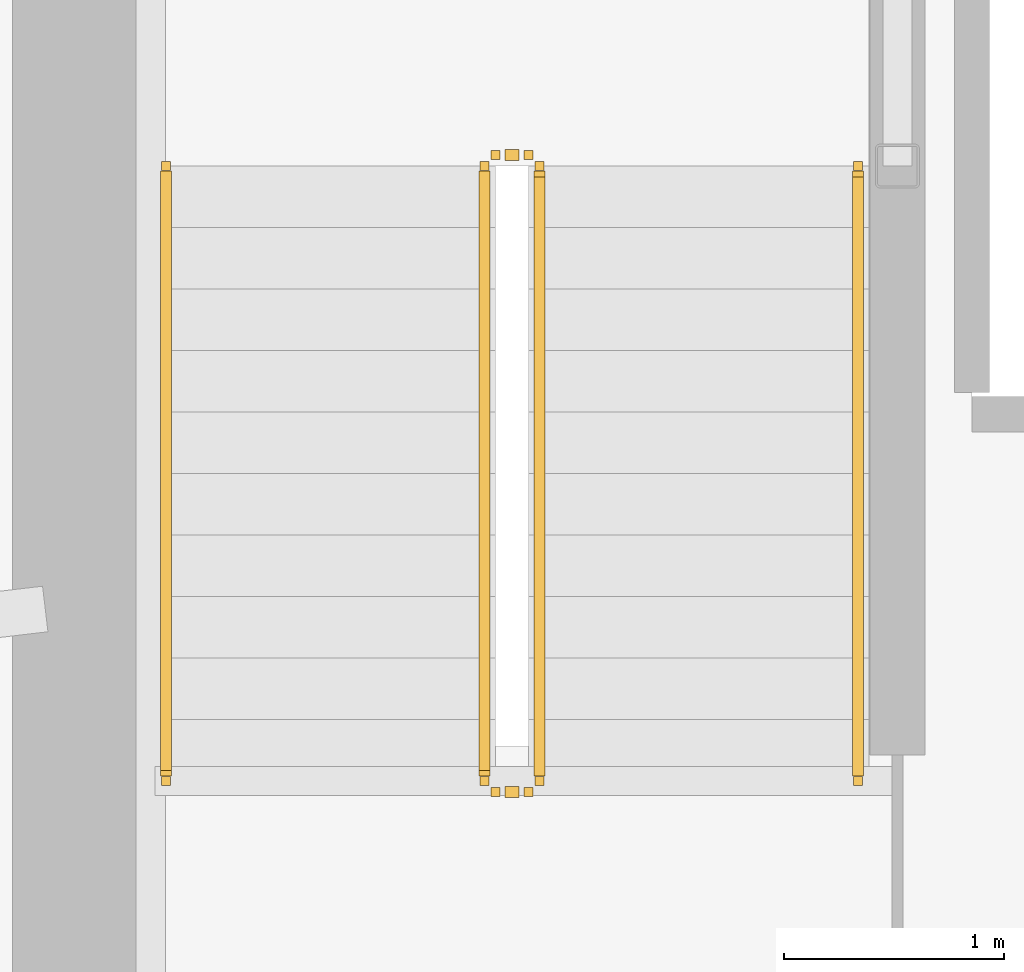
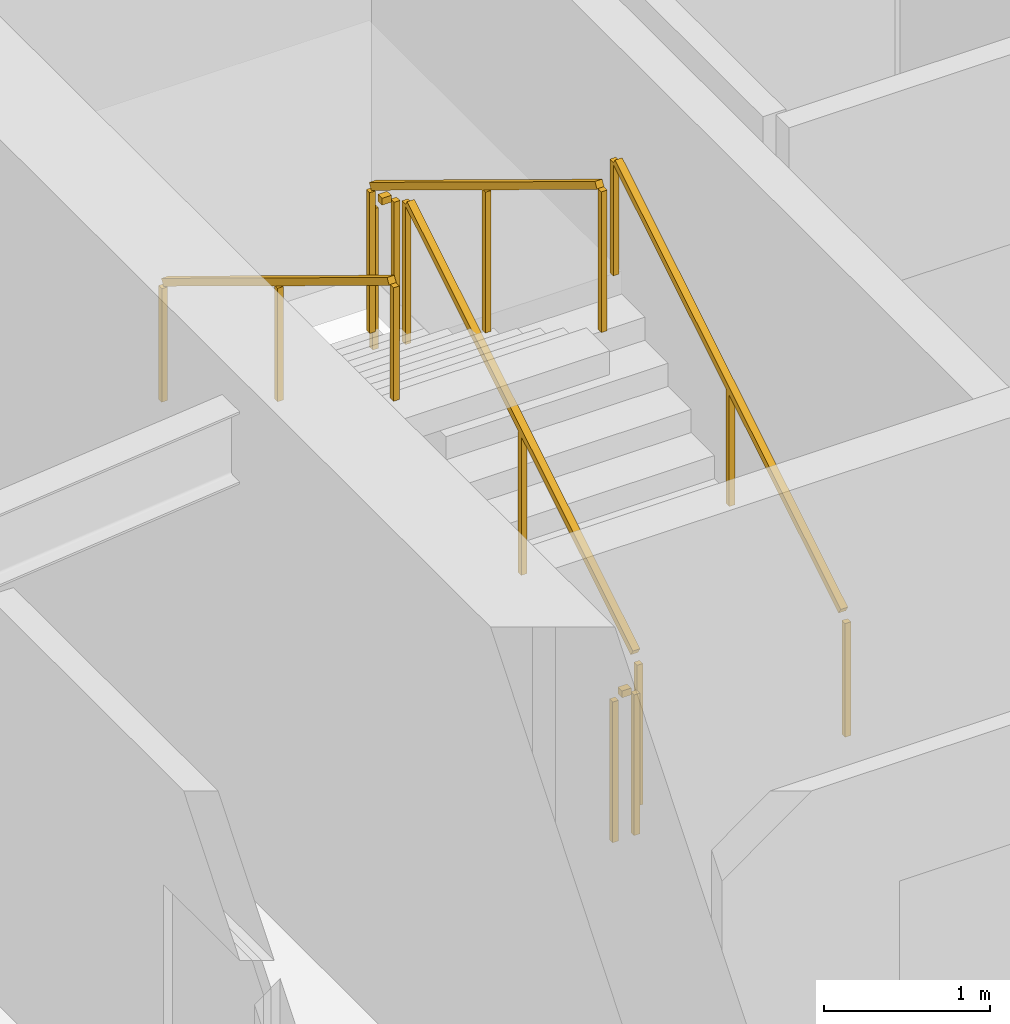
# One storey, part 18 of 21: 6 railings.
"""IFC4 building model written with IfcOpenShell, lengths in metres."""

from ifc_helpers import new_model, si_unit, direction, frame, origin, origin_2d, place, context, subcontext, project, spatial, rectangle, extrude, material, type_object, element, save


model = new_model("IFC4")

# Units and contexts
model_context = context("Model", 3, precision=1e-05, world=origin(), true_north=direction((0.0, 1.0)))
body_context = subcontext(model_context, "Body", "Model", "MODEL_VIEW")
ifc_project = project(units=[si_unit("LENGTHUNIT", "METRE"), si_unit("AREAUNIT", "SQUARE_METRE"), si_unit("VOLUMEUNIT", "CUBIC_METRE"), si_unit("PLANEANGLEUNIT", "RADIAN"), si_unit("MASSUNIT", "GRAM", prefix="KILO")], contexts=[model_context])

# Site, building, storey
site_placement = place(None, origin())
site = spatial("IfcSite", under=ifc_project, at=site_placement, CompositionType="ELEMENT")
building_placement = place(site_placement, origin())
building = spatial("IfcBuilding", under=site, at=building_placement, Name="Kazma Halo Residences", CompositionType="ELEMENT")
storey_placement = place(building_placement, frame((0.0, 0.0, 180.300048828125)))
storey = spatial("IfcBuildingStorey", under=building, at=storey_placement, Name="L45", CompositionType="ELEMENT", Elevation=180.300048828125)

# Railings
ifc_material_1 = material(Name="Painted Steel S355", Category="steel")
railing_type_1 = type_object("IfcRailingType", Name="RLG-STAIR-GRD-1100", PredefinedType="GUARDRAIL", material=ifc_material_1)
railing_1_placement = place(storey_placement, frame((39.550048828125, 39.949951171875, 0.17041015625)))
element("IfcRailing", 1, at=railing_1_placement, inside=storey, type_object=railing_type_1, Name="L45 ST-01 stair guard 1", PredefinedType="GUARDRAIL", context=body_context, shape_type="SweptSolid", body=[
    extrude(rectangle(XDim=0.050048828125, YDim=0.050048828125, at=origin_2d()), frame((0.0, 0.036376953125, 1.09716796875), z_axis=(0.0, 0.854169791009, 0.51999420009), x_axis=(-1.0, 0.0, 0.0)), (0.0, 0.0, 1.0), 3.193115234375),
    extrude(rectangle(XDim=0.0400390625, YDim=0.0400390625, at=origin_2d()), origin(), (0.0, 0.0, 1.0), 1.0380859375),
    extrude(rectangle(XDim=0.0400390625, YDim=0.0400390625, at=origin_2d()), frame((0.0, 1.39990234375, 0.852294921875)), (0.0, 0.0, 1.0), 1.0380859375),
    extrude(rectangle(XDim=0.0400390625, YDim=0.0400390625, at=origin_2d()), frame((0.0, 2.800048828125, 1.70458984375)), (0.0, 0.0, 1.0), 1.0380859375),
])
railing_2_placement = place(storey_placement, frame((39.5, 42.800048828125, 1.875)))
element("IfcRailing", 2, at=railing_2_placement, inside=storey, type_object=railing_type_1, Name="L45 ST-01 stair guard 2", PredefinedType="GUARDRAIL", context=body_context, shape_type="SweptSolid", body=[
    extrude(rectangle(XDim=0.050048828125, YDim=0.050048828125, at=origin_2d()), frame((-0.04248046875, 0.0, 1.0751953125), z_axis=(-1.0, 0.0, 0.0), x_axis=(0.0, -1.0, 0.0)), (0.0, 0.0, 1.0), 0.06494140625),
    extrude(rectangle(XDim=0.0400390625, YDim=0.0400390625, at=origin_2d()), origin(), (0.0, 0.0, 1.0), 1.0380859375),
    extrude(rectangle(XDim=0.0400390625, YDim=0.0400390625, at=origin_2d()), frame((-0.14990234375, 0.0, 0.0)), (0.0, 0.0, 1.0), 1.0380859375),
])
railing_3_placement = place(storey_placement, frame((39.300048828125, 42.75, 2.04541015625)))
element("IfcRailing", 3, at=railing_3_placement, inside=storey, type_object=railing_type_1, Name="L45 ST-01 stair guard 3", PredefinedType="GUARDRAIL", context=body_context, shape_type="SweptSolid", body=[
    extrude(rectangle(XDim=0.050048828125, YDim=0.050048828125, at=origin_2d()), frame((0.0, -0.036376953125, 1.09716796875), z_axis=(0.0, -0.854169791009, 0.51999420009), x_axis=(1.0, 0.0, 0.0)), (0.0, 0.0, 1.0), 3.193115234375),
    extrude(rectangle(XDim=0.0400390625, YDim=0.0400390625, at=origin_2d()), origin(), (0.0, 0.0, 1.0), 1.0380859375),
    extrude(rectangle(XDim=0.0400390625, YDim=0.0400390625, at=origin_2d()), frame((0.0, -1.39990234375, 0.852294921875)), (0.0, 0.0, 1.0), 1.0380859375),
    extrude(rectangle(XDim=0.0400390625, YDim=0.0400390625, at=origin_2d()), frame((0.0, -2.800048828125, 1.70458984375)), (0.0, 0.0, 1.0), 1.0380859375),
])
railing_4_placement = place(storey_placement, frame((39.5, 39.89990234375, 0.0)))
element("IfcRailing", 4, at=railing_4_placement, inside=storey, type_object=railing_type_1, Name="L45 ST-01 stair guard 4", PredefinedType="GUARDRAIL", context=body_context, shape_type="SweptSolid", body=[
    extrude(rectangle(XDim=0.050048828125, YDim=0.050048828125, at=origin_2d()), frame((-0.04248046875, 0.0, 1.0751953125), z_axis=(-1.0, 0.0, 0.0), x_axis=(0.0, -1.0, 0.0)), (0.0, 0.0, 1.0), 0.06494140625),
    extrude(rectangle(XDim=0.0400390625, YDim=0.0400390625, at=origin_2d()), origin(), (0.0, 0.0, 1.0), 1.0380859375),
    extrude(rectangle(XDim=0.0400390625, YDim=0.0400390625, at=origin_2d()), frame((-0.14990234375, 0.0, 0.0)), (0.0, 0.0, 1.0), 1.0380859375),
])
ifc_material_2 = material(Name="Brushed Stainless Steel", Category="steel")
railing_type_2 = type_object("IfcRailingType", Name="RLG-STAIR-HND-900", PredefinedType="HANDRAIL", material=ifc_material_2)
railing_5_placement = place(storey_placement, frame((41.0, 39.949951171875, 0.17041015625)))
element("IfcRailing", 5, at=railing_5_placement, inside=storey, type_object=railing_type_2, Name="L45 ST-01 stair handrail 1", PredefinedType="HANDRAIL", context=body_context, shape_type="SweptSolid", body=[
    extrude(rectangle(XDim=0.050048828125, YDim=0.050048828125, at=origin_2d()), frame((0.0, 0.036376953125, 0.89697265625), z_axis=(0.0, 0.854169791009, 0.51999420009), x_axis=(-1.0, 0.0, 0.0)), (0.0, 0.0, 1.0), 3.193115234375),
    extrude(rectangle(XDim=0.0400390625, YDim=0.0400390625, at=origin_2d()), origin(), (0.0, 0.0, 1.0), 0.837890625),
    extrude(rectangle(XDim=0.0400390625, YDim=0.0400390625, at=origin_2d()), frame((0.0, 1.39990234375, 0.852294921875)), (0.0, 0.0, 1.0), 0.837890625),
    extrude(rectangle(XDim=0.0400390625, YDim=0.0400390625, at=origin_2d()), frame((0.0, 2.800048828125, 1.70458984375)), (0.0, 0.0, 1.0), 0.837890625),
])
railing_6_placement = place(storey_placement, frame((37.85009765625, 42.75, 2.04541015625)))
element("IfcRailing", 6, at=railing_6_placement, inside=storey, type_object=railing_type_2, Name="L45 ST-01 stair handrail 2", PredefinedType="HANDRAIL", context=body_context, shape_type="SweptSolid", body=[
    extrude(rectangle(XDim=0.050048828125, YDim=0.050048828125, at=origin_2d()), frame((0.0, -0.036376953125, 0.89697265625), z_axis=(0.0, -0.854169791009, 0.51999420009), x_axis=(1.0, 0.0, 0.0)), (0.0, 0.0, 1.0), 3.193115234375),
    extrude(rectangle(XDim=0.0400390625, YDim=0.0400390625, at=origin_2d()), origin(), (0.0, 0.0, 1.0), 0.837890625),
    extrude(rectangle(XDim=0.0400390625, YDim=0.0400390625, at=origin_2d()), frame((0.0, -1.39990234375, 0.852294921875)), (0.0, 0.0, 1.0), 0.837890625),
    extrude(rectangle(XDim=0.0400390625, YDim=0.0400390625, at=origin_2d()), frame((0.0, -2.800048828125, 1.70458984375)), (0.0, 0.0, 1.0), 0.837890625),
])

save(model, "model.ifc")
